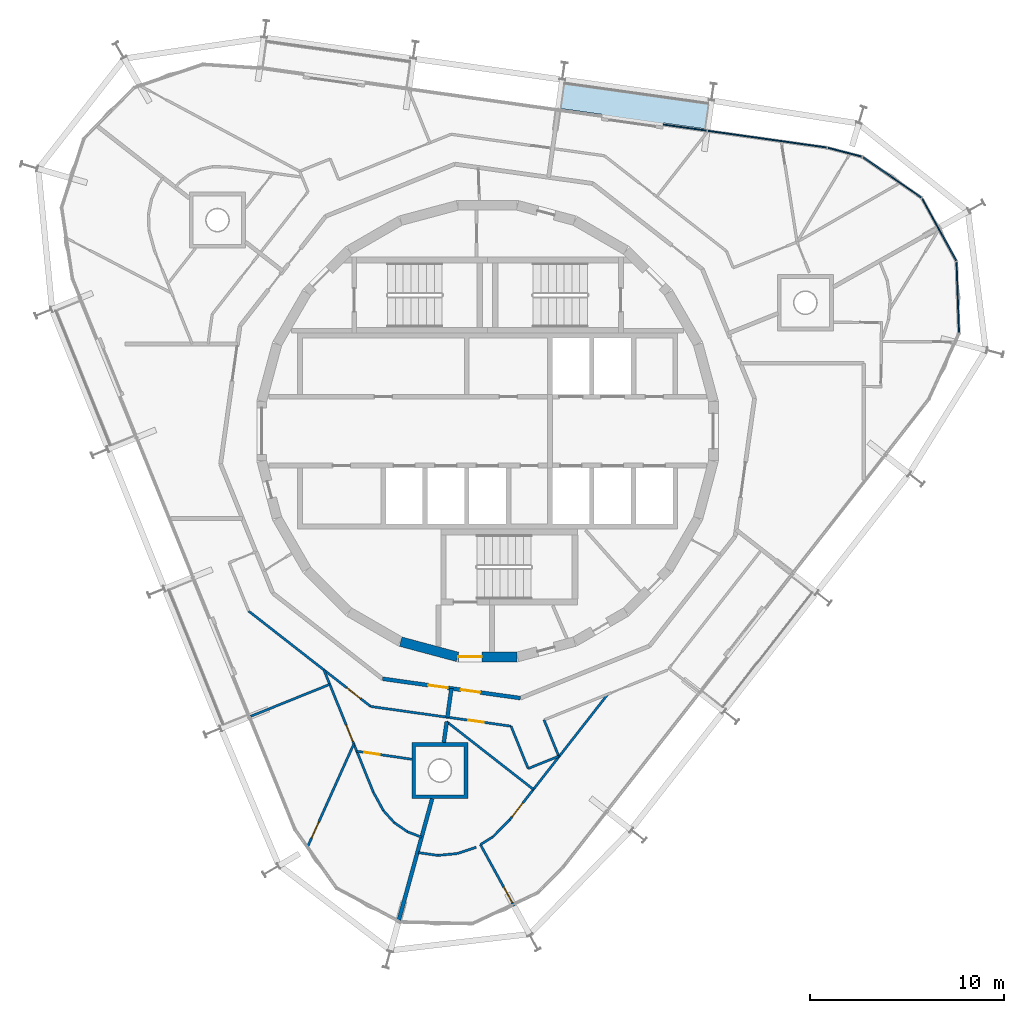
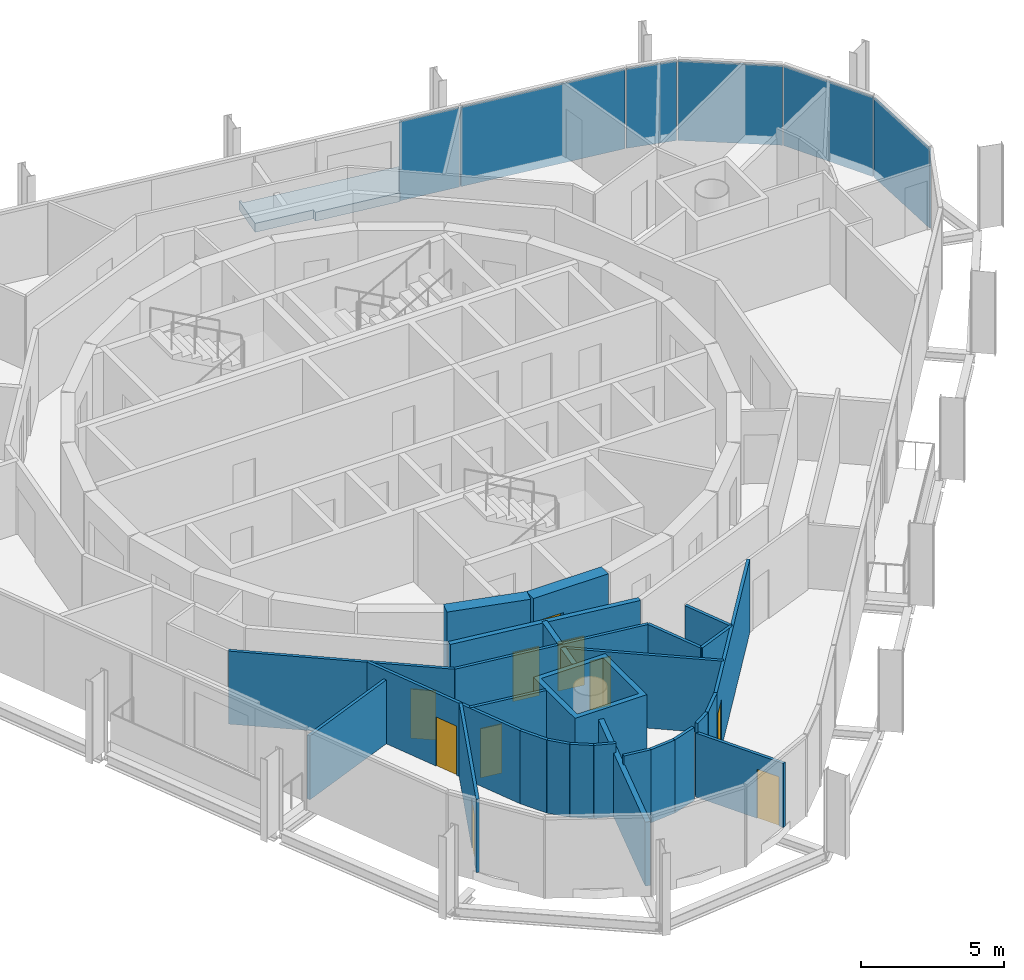
# One storey, part 9 of 15: 28 walls, 10 doors, 6 plates, 1 slab, 10 openings, 2 elements without a shape of their own.
"""IFC4 building model written with IfcOpenShell, lengths in metres."""

from ifc_helpers import new_model, si_unit, direction, frame, frame_2d, origin, origin_2d, place, context, subcontext, project, spatial, polyline, rectangle, outline, extrude, material, layer, layer_set, type_object, element, fill, aggregate, save


model = new_model("IFC4")

# Units and contexts
model_context = context("Model", 3, precision=1e-05, world=origin(), true_north=direction((0.0, 1.0)))
body_context = subcontext(model_context, "Body", "Model", "MODEL_VIEW")
ifc_project = project(units=[si_unit("LENGTHUNIT", "METRE"), si_unit("AREAUNIT", "SQUARE_METRE"), si_unit("VOLUMEUNIT", "CUBIC_METRE"), si_unit("PLANEANGLEUNIT", "RADIAN"), si_unit("MASSUNIT", "GRAM", prefix="KILO")], contexts=[model_context])

# Site, building, storey
site_placement = place(None, origin())
site = spatial("IfcSite", under=ifc_project, at=site_placement, CompositionType="ELEMENT")
building_placement = place(site_placement, origin())
building = spatial("IfcBuilding", under=site, at=building_placement, Name="Spindle Arch Residences", CompositionType="ELEMENT")
storey_placement = place(building_placement, frame((0.0, 0.0, 343.5)))
storey = spatial("IfcBuildingStorey", under=building, at=storey_placement, Name="L88", CompositionType="ELEMENT", Elevation=343.5)

# Slab
ifc_material_1 = material(Name="Concrete C40/50", Category="concrete")
ifc_layer_1 = layer(ifc_material_1, 0.3798828125)
ifc_layer_set_1 = layer_set([ifc_layer_1], Name="Balcony slab 380")
slab_type = type_object("IfcSlabType", Name="Balcony slab 380", PredefinedType="FLOOR", material=ifc_layer_set_1)
slab_placement = place(storey_placement, frame((0.0, 0.0, -0.3798828125)))
element("IfcSlab", 1, at=slab_placement, inside=storey, type_object=slab_type, Name="Balcony L88 bay 6", PredefinedType="FLOOR", context=body_context, shape_type="SweptSolid", body=[
    extrude(outline(polyline([(11.470458984375, 17.05810546875), (11.396240234375, 17.068359375), (11.375244140625, 16.919921875), (3.982421875, 17.958984375), (4.00341796875, 18.107421875), (3.928955078125, 18.117919921875), (3.7216796875, 16.642333984375), (5.907958984375, 16.335205078125), (5.8857421875, 16.1767578125), (9.054443359375, 15.7314453125), (9.076904296875, 15.889892578125), (11.26318359375, 15.58251953125), (11.470458984375, 17.05810546875)])), origin(), (0.0, 0.0, 1.0), 0.3798828125),
])

# Curtain wall, plates
ifc_material_2 = material(Name="Aluminium bronze unitised frame with tinted glass", Category="aluminium")
ifc_layer_2 = layer(ifc_material_2, 0.159912109375)
ifc_layer_set_2 = layer_set([ifc_layer_2], Name="CW-D corner wall on the fillet arcs")
curtain_wall_type_1 = type_object("IfcCurtainWallType", Name="CW-D corner wall on the fillet arcs", PredefinedType="NOTDEFINED", material=ifc_layer_set_2)
curtain_wall_1_placement = place(storey_placement, origin())
curtain_wall_1 = element("IfcCurtainWall", 2, at=curtain_wall_1_placement, inside=storey, type_object=curtain_wall_type_1, Name="CW-D L88 run 1", PredefinedType="NOTDEFINED")
ifc_material_3 = material(Name="Tinted double glazing over non-combustible spandrel zone with 0.55 mm stainless steel cavity fire stop (K0)", Category="steel")
ifc_layer_3 = layer(ifc_material_3, 0.070068359375)
ifc_layer_set_3 = layer_set([ifc_layer_3], Name="Unitised glass panel with spandrel zone and stainless cavity fire stop")
plate_type = type_object("IfcPlateType", Name="Unitised glass panel with spandrel zone and stainless cavity fire stop", PredefinedType="CURTAIN_PANEL", material=ifc_layer_set_3)
plate_1_placement = place(storey_placement, frame((24.2470703125, 6.896240234375, -0.3798828125), z_axis=(0.0, 0.0, 1.0), x_axis=(-0.034899497139, 0.999390827004, 0.0)))
plate_1 = element("IfcPlate", 3, at=plate_1_placement, type_object=plate_type, Name="CW-D unit 02", PredefinedType="CURTAIN_PANEL", context=body_context, shape_type="SweptSolid", body=[
    extrude(rectangle(XDim=3.666748046875, YDim=0.070068359375, at=origin_2d()), origin(), (0.0, 0.0, 1.0), 3.3798828125),
])
plate_2_placement = place(storey_placement, frame((23.2880859375, 10.3935546875, -0.3798828125), z_axis=(0.0, 0.0, 1.0), x_axis=(-0.479713114021, 0.877425397533, 0.0)))
plate_2 = element("IfcPlate", 4, at=plate_2_placement, type_object=plate_type, Name="CW-D unit 03", PredefinedType="CURTAIN_PANEL", context=body_context, shape_type="SweptSolid", body=[
    extrude(rectangle(XDim=3.666748046875, YDim=0.070068359375, at=origin_2d()), origin(), (0.0, 0.0, 1.0), 3.3798828125),
])
plate_3_placement = place(storey_placement, frame((20.86181640625, 13.08837890625, -0.3798828125), z_axis=(0.0, 0.0, 1.0), x_axis=(-0.822475094841, 0.568801123739, 0.0)))
plate_3 = element("IfcPlate", 5, at=plate_3_placement, type_object=plate_type, Name="CW-D unit 04", PredefinedType="CURTAIN_PANEL", context=body_context, shape_type="SweptSolid", body=[
    extrude(rectangle(XDim=3.666748046875, YDim=0.070068359375, at=origin_2d()), origin(), (0.0, 0.0, 1.0), 3.3798828125),
])
plate_4_placement = place(storey_placement, frame((18.421630859375, 14.3857421875, -0.3798828125), z_axis=(0.0, 0.0, 1.0), x_axis=(-0.967415218326, 0.25319517245, 0.0)))
plate_4 = element("IfcPlate", 6, at=plate_4_placement, type_object=plate_type, Name="CW-D unit 05", PredefinedType="CURTAIN_PANEL", context=body_context, shape_type="SweptSolid", body=[
    extrude(rectangle(XDim=1.816162109375, YDim=0.070068359375, at=origin_2d()), origin(), (0.0, 0.0, 1.0), 3.3798828125),
])
plate_5_placement = place(storey_placement, frame((14.420166015625, 15.05810546875, -0.3798828125), z_axis=(0.0, 0.0, 1.0), x_axis=(-0.990268068742, 0.13917310096, 0.0)))
plate_5 = element("IfcPlate", 7, at=plate_5_placement, type_object=plate_type, Name="CW-D unit 06", PredefinedType="CURTAIN_PANEL", context=body_context, shape_type="SweptSolid", body=[
    extrude(rectangle(XDim=6.188720703125, YDim=0.070068359375, at=origin_2d()), origin(), (0.0, 0.0, 1.0), 3.3798828125),
])
aggregate(curtain_wall_1, [plate_1, plate_2, plate_3, plate_4, plate_5])

# Curtain wall, plate
ifc_material_4 = material(Name="Aluminium bronze unitised frame with tinted glass", Category="aluminium")
ifc_layer_4 = layer(ifc_material_4, 0.159912109375)
ifc_layer_set_4 = layer_set([ifc_layer_4], Name="CW-C typical residential unitised wall")
curtain_wall_type_2 = type_object("IfcCurtainWallType", Name="CW-C typical residential unitised wall", PredefinedType="NOTDEFINED", material=ifc_layer_set_4)
curtain_wall_2_placement = place(storey_placement, origin())
curtain_wall_2 = element("IfcCurtainWall", 8, at=curtain_wall_2_placement, inside=storey, type_object=curtain_wall_type_2, Name="CW-C L88 run 2", PredefinedType="NOTDEFINED")
plate_6_placement = place(storey_placement, frame((10.18115234375, 15.65380859375, -0.3798828125), z_axis=(0.0, 0.0, 1.0), x_axis=(-0.990268068742, 0.13917310096, 0.0)))
plate_6 = element("IfcPlate", 9, at=plate_6_placement, type_object=plate_type, Name="CW-C unit 05L", PredefinedType="CURTAIN_PANEL", context=body_context, shape_type="SweptSolid", body=[
    extrude(rectangle(XDim=2.252685546875, YDim=0.070068359375, at=origin_2d()), origin(), (0.0, 0.0, 1.0), 3.3798828125),
])
aggregate(curtain_wall_2, [plate_6])

# Wall
ifc_material_5 = material(Name="Concrete C50/60", Category="concrete")
ifc_layer_5 = layer(ifc_material_5, 0.5)
ifc_layer_set_5 = layer_set([ifc_layer_5], Name="Core outline wall 500")
wall_type_1 = type_object("IfcWallType", Name="Core outline wall 500", PredefinedType="SHEAR", material=ifc_layer_set_5)
wall_1_placement = place(storey_placement, frame((-4.479248046875, -10.858154296875, 0.0), z_axis=(0.0, 0.0, 1.0), x_axis=(0.965948410781, -0.258734743916, 0.0)))
element("IfcWall", 10, at=wall_1_placement, inside=storey, type_object=wall_type_1, Name="Core outline wall 23", PredefinedType="SHEAR", context=body_context, shape_type="SweptSolid", body=[
    extrude(rectangle(XDim=3.03271484375, YDim=0.5, at=frame_2d((1.516357421875, 0.0))), origin(), (0.0, 0.0, 1.0), 3.1201171875),
])

# Wall, opening, door
wall_2_placement = place(storey_placement, frame((-1.516357421875, -11.647216796875, 0.0), z_axis=(0.0, 0.0, 1.0), x_axis=(1.0, 0.0, 0.0)))
wall_2 = element("IfcWall", 11, at=wall_2_placement, inside=storey, type_object=wall_type_1, Name="Core outline wall 24", PredefinedType="SHEAR", context=body_context, shape_type="SweptSolid", body=[
    extrude(rectangle(XDim=3.03271484375, YDim=0.5, at=frame_2d((1.516357421875, 0.0))), origin(), (0.0, 0.0, 1.0), 3.1201171875),
])
opening_1_placement = place(wall_2_placement, frame((0.016357421875, 0.0, 0.0)))
opening_1 = element("IfcOpeningElement", 12, at=opening_1_placement, cuts=wall_2, Name="Opening R9B1-AD03", PredefinedType="OPENING", context=body_context, shape_type="SweptSolid", body=[
    extrude(rectangle(XDim=1.199951171875, YDim=2.10009765625, at=frame_2d((0.60009765625, 1.050048828125))), frame((0.0, 0.260009765625, 0.0), z_axis=(0.0, -1.0, 0.0), x_axis=(1.0, 0.0, 0.0)), (0.0, 0.0, 1.0), 0.52001953125),
])
ifc_material_6 = material(Name="Steel, fire-resisting door", Category="steel")
door_type_1 = type_object("IfcDoorType", Name="Stair airlock door 1200x2100", OperationType="SINGLE_SWING_LEFT", PredefinedType="DOOR", material=ifc_material_6)
door_1_placement = place(opening_1_placement, origin())
door_1 = element("IfcDoor", 13, at=door_1_placement, inside=storey, type_object=door_type_1, Name="Stair airlock door R9B1-AD03", OperationType="SINGLE_SWING_RIGHT", OverallHeight=2.10009765625, OverallWidth=1.199951171875, PredefinedType="DOOR", context=body_context, shape_type="SweptSolid", body=[
    extrude(rectangle(XDim=1.199951171875, YDim=2.10009765625, at=frame_2d((0.60009765625, 1.050048828125))), frame((0.0, 0.02490234375, 0.0), z_axis=(0.0, -1.0, 0.0), x_axis=(1.0, 0.0, 0.0)), (0.0, 0.0, 1.0), 0.050048828125),
])
fill(opening_1, door_1)

# Wall, openings, doors
ifc_material_7 = material(Name="Calcium silicate block, plastered")
ifc_layer_6 = layer(ifc_material_7, 0.199951171875)
ifc_layer_set_6 = layer_set([ifc_layer_6], Name="Corridor wall 200")
wall_type_2 = type_object("IfcWallType", Name="Corridor wall 200", PredefinedType="STANDARD", material=ifc_layer_set_6)
wall_3_placement = place(storey_placement, frame((-5.42041015625, -12.77001953125, 0.0), z_axis=(0.0, 0.0, 1.0), x_axis=(0.990270565508, -0.139155334385, 0.0)))
wall_3 = element("IfcWall", 14, at=wall_3_placement, inside=storey, type_object=wall_type_2, Name="Corridor wall R9B1-W015", PredefinedType="STANDARD", context=body_context, shape_type="SweptSolid", body=[
    extrude(rectangle(XDim=7.180908203125, YDim=0.199951171875, at=frame_2d((3.59033203125, 0.0))), origin(), (0.0, 0.0, 1.0), 3.1201171875),
])
opening_2_placement = place(wall_3_placement, frame((2.390380859375, 0.0, 0.0)))
opening_2 = element("IfcOpeningElement", 15, at=opening_2_placement, cuts=wall_3, Name="Opening R9B1-FD05", PredefinedType="OPENING", context=body_context, shape_type="SweptSolid", body=[
    extrude(rectangle(XDim=1.0, YDim=2.10009765625, at=frame_2d((0.5, 1.050048828125))), frame((0.0, 0.10986328125, 0.0), z_axis=(0.0, -1.0, 0.0), x_axis=(1.0, 0.0, 0.0)), (0.0, 0.0, 1.0), 0.219970703125),
])
opening_3_placement = place(wall_3_placement, frame((4.090576171875, 0.0, 0.0)))
opening_3 = element("IfcOpeningElement", 16, at=opening_3_placement, cuts=wall_3, Name="Opening R9B1-FD06", PredefinedType="OPENING", context=body_context, shape_type="SweptSolid", body=[
    extrude(rectangle(XDim=1.0, YDim=2.10009765625, at=frame_2d((0.5, 1.050048828125))), frame((0.0, 0.10986328125, 0.0), z_axis=(0.0, -1.0, 0.0), x_axis=(1.0, 0.0, 0.0)), (0.0, 0.0, 1.0), 0.219970703125),
])
ifc_material_8 = material(Name="Timber, fire-resisting door set", Category="wood")
door_type_2 = type_object("IfcDoorType", Name="Flat entrance door 1000x2100", OperationType="NOTDEFINED", PredefinedType="DOOR", material=ifc_material_8)
door_2_placement = place(opening_2_placement, origin())
door_2 = element("IfcDoor", 17, at=door_2_placement, inside=storey, type_object=door_type_2, Name="Flat entrance door R9B1-FD05", OperationType="SINGLE_SWING_RIGHT", OverallHeight=2.10009765625, OverallWidth=1.0, PredefinedType="DOOR", context=body_context, shape_type="SweptSolid", body=[
    extrude(rectangle(XDim=1.0, YDim=2.10009765625, at=frame_2d((0.5, 1.050048828125))), frame((0.0, 0.02490234375, 0.0), z_axis=(0.0, -1.0, 0.0), x_axis=(1.0, 0.0, 0.0)), (0.0, 0.0, 1.0), 0.050048828125),
])
fill(opening_2, door_2)
door_3_placement = place(opening_3_placement, origin())
door_3 = element("IfcDoor", 18, at=door_3_placement, inside=storey, type_object=door_type_2, Name="Flat entrance door R9B1-FD06", OperationType="SINGLE_SWING_RIGHT", OverallHeight=2.10009765625, OverallWidth=1.0, PredefinedType="DOOR", context=body_context, shape_type="SweptSolid", body=[
    extrude(rectangle(XDim=1.0, YDim=2.10009765625, at=frame_2d((0.5, 1.050048828125))), frame((0.0, 0.02490234375, 0.0), z_axis=(0.0, -1.0, 0.0), x_axis=(1.0, 0.0, 0.0)), (0.0, 0.0, 1.0), 0.050048828125),
])
fill(opening_3, door_3)

# Wall, opening, door
ifc_material_9 = material(Name="Plasterboard on steel studs", Category="steel")
ifc_layer_7 = layer(ifc_material_9, 0.1201171875)
ifc_layer_set_7 = layer_set([ifc_layer_7], Name="Flat partition 120")
wall_type_3 = type_object("IfcWallType", Name="Flat partition 120", PredefinedType="PARTITIONING", material=ifc_layer_set_7)
wall_4_placement = place(storey_placement, frame((-12.3193359375, -9.283447265625, 0.0), z_axis=(0.0, 0.0, 1.0), x_axis=(0.788000268464, -0.61567489546, 0.0)))
wall_4 = element("IfcWall", 19, at=wall_4_placement, inside=storey, type_object=wall_type_3, Name="Flat partition R9B1-W074", PredefinedType="PARTITIONING", context=body_context, shape_type="SweptSolid", body=[
    extrude(rectangle(XDim=7.98486328125, YDim=0.1201171875, at=frame_2d((3.992431640625, 0.0))), origin(), (0.0, 0.0, 1.0), 3.1201171875),
])
opening_4_placement = place(wall_4_placement, frame((6.423095703125, 0.0, 0.0)))
opening_4 = element("IfcOpeningElement", 20, at=opening_4_placement, cuts=wall_4, Name="Opening R9B1-ID16", PredefinedType="OPENING", context=body_context, shape_type="SweptSolid", body=[
    extrude(rectangle(XDim=0.89990234375, YDim=2.10009765625, at=frame_2d((0.449951171875, 1.050048828125))), frame((0.0, 0.070068359375, 0.0), z_axis=(0.0, -1.0, 0.0), x_axis=(1.0, 0.0, 0.0)), (0.0, 0.0, 1.0), 0.14013671875),
])
ifc_material_10 = material(Name="Timber door set", Category="wood")
door_type_3 = type_object("IfcDoorType", Name="Room door 900x2100", OperationType="NOTDEFINED", PredefinedType="DOOR", material=ifc_material_10)
door_4_placement = place(opening_4_placement, origin())
door_4 = element("IfcDoor", 21, at=door_4_placement, inside=storey, type_object=door_type_3, Name="Room door R9B1-ID16", OperationType="SINGLE_SWING_RIGHT", OverallHeight=2.10009765625, OverallWidth=0.89990234375, PredefinedType="DOOR", context=body_context, shape_type="SweptSolid", body=[
    extrude(rectangle(XDim=0.89990234375, YDim=2.10009765625, at=frame_2d((0.449951171875, 1.050048828125))), frame((0.0, 0.02490234375, 0.0), z_axis=(0.0, -1.0, 0.0), x_axis=(1.0, 0.0, 0.0)), (0.0, 0.0, 1.0), 0.050048828125),
])
fill(opening_4, door_4)

wall_5_placement = place(storey_placement, frame((-6.02734375, -14.199462890625, 0.0), z_axis=(0.0, 0.0, 1.0), x_axis=(0.990271617837, -0.139147845494, 0.0)))
wall_5 = element("IfcWall", 22, at=wall_5_placement, inside=storey, type_object=wall_type_3, Name="Flat partition R9B1-W075", PredefinedType="PARTITIONING", context=body_context, shape_type="SweptSolid", body=[
    extrude(rectangle(XDim=7.3076171875, YDim=0.1201171875, at=frame_2d((3.65380859375, 0.0))), origin(), (0.0, 0.0, 1.0), 3.1201171875),
])
opening_5_placement = place(wall_5_placement, frame((5.092529296875, 0.0, 0.0)))
opening_5 = element("IfcOpeningElement", 23, at=opening_5_placement, cuts=wall_5, Name="Opening R9B1-BD06", PredefinedType="OPENING", context=body_context, shape_type="SweptSolid", body=[
    extrude(rectangle(XDim=0.800048828125, YDim=2.10009765625, at=frame_2d((0.39990234375, 1.050048828125))), frame((0.0, 0.070068359375, 0.0), z_axis=(0.0, -1.0, 0.0), x_axis=(1.0, 0.0, 0.0)), (0.0, 0.0, 1.0), 0.14013671875),
])
ifc_material_11 = material(Name="Timber door set", Category="wood")
door_type_4 = type_object("IfcDoorType", Name="Bathroom door 800x2100", OperationType="NOTDEFINED", PredefinedType="DOOR", material=ifc_material_11)
door_5_placement = place(opening_5_placement, origin())
door_5 = element("IfcDoor", 24, at=door_5_placement, inside=storey, type_object=door_type_4, Name="Bathroom door R9B1-BD06", OperationType="SINGLE_SWING_LEFT", OverallHeight=2.10009765625, OverallWidth=0.800048828125, PredefinedType="DOOR", context=body_context, shape_type="SweptSolid", body=[
    extrude(rectangle(XDim=0.800048828125, YDim=2.10009765625, at=frame_2d((0.39990234375, 1.050048828125))), frame((0.0, 0.02490234375, 0.0), z_axis=(0.0, -1.0, 0.0), x_axis=(1.0, 0.0, 0.0)), (0.0, 0.0, 1.0), 0.050048828125),
])
fill(opening_5, door_5)

wall_6_placement = place(storey_placement, frame((-5.89404296875, -18.615966796875, 0.0), z_axis=(0.0, 0.0, 1.0), x_axis=(-0.374596683143, 0.927187858515, 0.0)))
wall_6 = element("IfcWall", 25, at=wall_6_placement, inside=storey, type_object=wall_type_3, Name="Flat partition R9B1-W077", PredefinedType="PARTITIONING", context=body_context, shape_type="SweptSolid", body=[
    extrude(rectangle(XDim=6.79638671875, YDim=0.1201171875, at=frame_2d((3.398193359375, 0.0))), origin(), (0.0, 0.0, 1.0), 3.1201171875),
])
opening_6_placement = place(wall_6_placement, frame((2.822265625, 0.0, 0.0)))
opening_6 = element("IfcOpeningElement", 26, at=opening_6_placement, cuts=wall_6, Name="Opening R9B1-ID17", PredefinedType="OPENING", context=body_context, shape_type="SweptSolid", body=[
    extrude(rectangle(XDim=0.89990234375, YDim=2.10009765625, at=frame_2d((0.449951171875, 1.050048828125))), frame((0.0, 0.070068359375, 0.0), z_axis=(0.0, -1.0, 0.0), x_axis=(1.0, 0.0, 0.0)), (0.0, 0.0, 1.0), 0.14013671875),
])
door_6_placement = place(opening_6_placement, origin())
door_6 = element("IfcDoor", 27, at=door_6_placement, inside=storey, type_object=door_type_3, Name="Room door R9B1-ID17", OperationType="SINGLE_SWING_RIGHT", OverallHeight=2.10009765625, OverallWidth=0.89990234375, PredefinedType="DOOR", context=body_context, shape_type="SweptSolid", body=[
    extrude(rectangle(XDim=0.89990234375, YDim=2.10009765625, at=frame_2d((0.449951171875, 1.050048828125))), frame((0.0, 0.02490234375, 0.0), z_axis=(0.0, -1.0, 0.0), x_axis=(1.0, 0.0, 0.0)), (0.0, 0.0, 1.0), 0.050048828125),
])
fill(opening_6, door_6)

wall_7_placement = place(storey_placement, frame((-9.3203125, -21.52099609375, 0.0), z_axis=(0.0, 0.0, 1.0), x_axis=(0.410206582363, 0.911992631432, 0.0)))
wall_7 = element("IfcWall", 28, at=wall_7_placement, inside=storey, type_object=wall_type_3, Name="Flat partition R9B1-W078", PredefinedType="PARTITIONING", context=body_context, shape_type="SweptSolid", body=[
    extrude(rectangle(XDim=5.90771484375, YDim=0.1201171875, at=frame_2d((2.953857421875, 0.0))), origin(), (0.0, 0.0, 1.0), 3.1201171875),
])
opening_7_placement = place(wall_7_placement, frame((0.60009765625, 0.0, 0.0)))
opening_7 = element("IfcOpeningElement", 29, at=opening_7_placement, cuts=wall_7, Name="Opening R9B1-ID18", PredefinedType="OPENING", context=body_context, shape_type="SweptSolid", body=[
    extrude(rectangle(XDim=0.89990234375, YDim=2.10009765625, at=frame_2d((0.449951171875, 1.050048828125))), frame((0.0, 0.070068359375, 0.0), z_axis=(0.0, -1.0, 0.0), x_axis=(1.0, 0.0, 0.0)), (0.0, 0.0, 1.0), 0.14013671875),
])
door_7_placement = place(opening_7_placement, origin())
door_7 = element("IfcDoor", 30, at=door_7_placement, inside=storey, type_object=door_type_3, Name="Room door R9B1-ID18", OperationType="SINGLE_SWING_RIGHT", OverallHeight=2.10009765625, OverallWidth=0.89990234375, PredefinedType="DOOR", context=body_context, shape_type="SweptSolid", body=[
    extrude(rectangle(XDim=0.89990234375, YDim=2.10009765625, at=frame_2d((0.449951171875, 1.050048828125))), frame((0.0, 0.02490234375, 0.0), z_axis=(0.0, -1.0, 0.0), x_axis=(1.0, 0.0, 0.0)), (0.0, 0.0, 1.0), 0.050048828125),
])
fill(opening_7, door_7)

wall_8_placement = place(storey_placement, frame((-6.7451171875, -16.509033203125, 0.0), z_axis=(0.0, 0.0, 1.0), x_axis=(0.989610924185, -0.143771411393, 0.0)))
wall_8 = element("IfcWall", 31, at=wall_8_placement, inside=storey, type_object=wall_type_3, Name="Flat partition R9B1-W079", PredefinedType="PARTITIONING", context=body_context, shape_type="SweptSolid", body=[
    extrude(rectangle(XDim=2.86474609375, YDim=0.1201171875, at=frame_2d((1.432373046875, 0.0))), origin(), (0.0, 0.0, 1.0), 3.1201171875),
])
opening_8_placement = place(wall_8_placement, frame((0.39990234375, 0.0, 0.0)))
opening_8 = element("IfcOpeningElement", 32, at=opening_8_placement, cuts=wall_8, Name="Opening R9B1-BD05", PredefinedType="OPENING", context=body_context, shape_type="SweptSolid", body=[
    extrude(rectangle(XDim=0.800048828125, YDim=2.10009765625, at=frame_2d((0.39990234375, 1.050048828125))), frame((0.0, 0.070068359375, 0.0), z_axis=(0.0, -1.0, 0.0), x_axis=(1.0, 0.0, 0.0)), (0.0, 0.0, 1.0), 0.14013671875),
])
door_8_placement = place(opening_8_placement, origin())
door_8 = element("IfcDoor", 33, at=door_8_placement, inside=storey, type_object=door_type_4, Name="Bathroom door R9B1-BD05", OperationType="SINGLE_SWING_RIGHT", OverallHeight=2.10009765625, OverallWidth=0.800048828125, PredefinedType="DOOR", context=body_context, shape_type="SweptSolid", body=[
    extrude(rectangle(XDim=0.800048828125, YDim=2.10009765625, at=frame_2d((0.39990234375, 1.050048828125))), frame((0.0, 0.02490234375, 0.0), z_axis=(0.0, -1.0, 0.0), x_axis=(1.0, 0.0, 0.0)), (0.0, 0.0, 1.0), 0.050048828125),
])
fill(opening_8, door_8)

# Walls
wall_9_placement = place(storey_placement, frame((-3.403564453125, -20.943115234375, 0.0), z_axis=(0.0, 0.0, 1.0), x_axis=(-0.931485289212, 0.363778993321, 0.0)))
element("IfcWall", 34, at=wall_9_placement, inside=storey, type_object=wall_type_3, Name="Flat partition R9B1-W080", PredefinedType="PARTITIONING", context=body_context, shape_type="SweptSolid", body=[
    extrude(rectangle(XDim=0.78662109375, YDim=0.1201171875, at=frame_2d((0.393310546875, 0.0))), origin(), (0.0, 0.0, 1.0), 3.1201171875),
])
wall_10_placement = place(storey_placement, frame((-4.13623046875, -20.656982421875, 0.0), z_axis=(0.0, 0.0, 1.0), x_axis=(-0.822552500908, 0.568689179826, 0.0)))
element("IfcWall", 35, at=wall_10_placement, inside=storey, type_object=wall_type_3, Name="Flat partition R9B1-W081", PredefinedType="PARTITIONING", context=body_context, shape_type="SweptSolid", body=[
    extrude(rectangle(XDim=0.8291015625, YDim=0.1201171875, at=frame_2d((0.41455078125, 0.0))), origin(), (0.0, 0.0, 1.0), 3.1201171875),
])
wall_11_placement = place(storey_placement, frame((-4.818115234375, -20.185546875, 0.0), z_axis=(0.0, 0.0, 1.0), x_axis=(-0.669013557227, 0.743250200301, 0.0)))
element("IfcWall", 36, at=wall_11_placement, inside=storey, type_object=wall_type_3, Name="Flat partition R9B1-W082", PredefinedType="PARTITIONING", context=body_context, shape_type="SweptSolid", body=[
    extrude(rectangle(XDim=0.828857421875, YDim=0.1201171875, at=frame_2d((0.41455078125, 0.0))), origin(), (0.0, 0.0, 1.0), 3.1201171875),
])
wall_12_placement = place(storey_placement, frame((-5.37255859375, -19.569580078125, 0.0), z_axis=(0.0, 0.0, 1.0), x_axis=(-0.479796131471, 0.87738000446, 0.0)))
element("IfcWall", 37, at=wall_12_placement, inside=storey, type_object=wall_type_3, Name="Flat partition R9B1-W083", PredefinedType="PARTITIONING", context=body_context, shape_type="SweptSolid", body=[
    extrude(rectangle(XDim=1.0869140625, YDim=0.1201171875, at=frame_2d((0.54345703125, 0.0))), origin(), (0.0, 0.0, 1.0), 3.1201171875),
])
wall_13_placement = place(storey_placement, frame((1.209228515625, -15.21630859375, 0.0), z_axis=(0.0, 0.0, 1.0), x_axis=(0.374531550488, -0.927214170345, 0.0)))
element("IfcWall", 38, at=wall_13_placement, inside=storey, type_object=wall_type_3, Name="Flat partition R9B1-W084", PredefinedType="PARTITIONING", context=body_context, shape_type="SweptSolid", body=[
    extrude(rectangle(XDim=2.357177734375, YDim=0.1201171875, at=frame_2d((1.1787109375, 0.0))), origin(), (0.0, 0.0, 1.0), 3.1201171875),
])
wall_14_placement = place(storey_placement, frame((2.092041015625, -17.40185546875, 0.0), z_axis=(0.0, 0.0, 1.0), x_axis=(0.927153589835, 0.374681492546, 0.0)))
element("IfcWall", 39, at=wall_14_placement, inside=storey, type_object=wall_type_3, Name="Flat partition R9B1-W085", PredefinedType="PARTITIONING", context=body_context, shape_type="SweptSolid", body=[
    extrude(rectangle(XDim=1.699951171875, YDim=0.1201171875, at=frame_2d((0.85009765625, 0.0))), origin(), (0.0, 0.0, 1.0), 3.1201171875),
])
wall_15_placement = place(storey_placement, frame((3.668212890625, -16.764892578125, 0.0), z_axis=(0.0, 0.0, 1.0), x_axis=(-0.374621045498, 0.927178015416, 0.0)))
element("IfcWall", 40, at=wall_15_placement, inside=storey, type_object=wall_type_3, Name="Flat partition R9B1-W086", PredefinedType="PARTITIONING", context=body_context, shape_type="SweptSolid", body=[
    extrude(rectangle(XDim=2.018310546875, YDim=0.1201171875, at=frame_2d((1.00927734375, 0.0))), origin(), (0.0, 0.0, 1.0), 3.1201171875),
])
wall_16_placement = place(storey_placement, frame((-0.587890625, -21.45947265625, 0.0), z_axis=(0.0, 0.0, 1.0), x_axis=(-0.94737753159, -0.320118435332, 0.0)))
element("IfcWall", 41, at=wall_16_placement, inside=storey, type_object=wall_type_3, Name="Flat partition R9B1-W089", PredefinedType="PARTITIONING", context=body_context, shape_type="SweptSolid", body=[
    extrude(rectangle(XDim=1.015869140625, YDim=0.1201171875, at=frame_2d((0.5078125, 0.0))), origin(), (0.0, 0.0, 1.0), 3.1201171875),
])
wall_17_placement = place(storey_placement, frame((-1.55029296875, -21.78466796875, 0.0), z_axis=(0.0, 0.0, 1.0), x_axis=(-0.995667655176, -0.092983441736, 0.0)))
element("IfcWall", 42, at=wall_17_placement, inside=storey, type_object=wall_type_3, Name="Flat partition R9B1-W090", PredefinedType="PARTITIONING", context=body_context, shape_type="SweptSolid", body=[
    extrude(rectangle(XDim=1.01611328125, YDim=0.1201171875, at=frame_2d((0.508056640625, 0.0))), origin(), (0.0, 0.0, 1.0), 3.1201171875),
])
wall_18_placement = place(storey_placement, frame((-2.56201171875, -21.879150390625, 0.0), z_axis=(0.0, 0.0, 1.0), x_axis=(-0.990273657549, 0.139133328736, 0.0)))
element("IfcWall", 43, at=wall_18_placement, inside=storey, type_object=wall_type_3, Name="Flat partition R9B1-W091", PredefinedType="PARTITIONING", context=body_context, shape_type="SweptSolid", body=[
    extrude(rectangle(XDim=1.015869140625, YDim=0.1201171875, at=frame_2d((0.5078125, 0.0))), origin(), (0.0, 0.0, 1.0), 3.1201171875),
])
wall_19_placement = place(storey_placement, frame((2.36328125, -18.477783203125, 0.0), z_axis=(0.0, 0.0, 1.0), x_axis=(-0.788010669333, 0.615661583191, 0.0)))
element("IfcWall", 44, at=wall_19_placement, inside=storey, type_object=wall_type_3, Name="Flat partition R9B1-W093", PredefinedType="PARTITIONING", context=body_context, shape_type="SweptSolid", body=[
    extrude(rectangle(XDim=5.671875, YDim=0.1201171875, at=frame_2d((2.8359375, 0.0))), origin(), (0.0, 0.0, 1.0), 3.1201171875),
])
wall_20_placement = place(storey_placement, frame((-0.368896484375, -21.32275390625, 0.0), z_axis=(0.0, 0.0, 1.0), x_axis=(0.847998304005, 0.529998940003, 0.0)))
element("IfcWall", 45, at=wall_20_placement, inside=storey, type_object=wall_type_3, Name="Flat partition R9B1-W094", PredefinedType="PARTITIONING", context=body_context, shape_type="SweptSolid", body=[
    extrude(rectangle(XDim=0.7578125, YDim=0.1201171875, at=frame_2d((0.37890625, 0.0))), origin(), (0.0, 0.0, 1.0), 3.1201171875),
])
wall_21_placement = place(storey_placement, frame((0.273681640625, -20.921142578125, 0.0), z_axis=(0.0, 0.0, 1.0), x_axis=(0.702915150142, 0.711273710818, 0.0)))
element("IfcWall", 46, at=wall_21_placement, inside=storey, type_object=wall_type_3, Name="Flat partition R9B1-W095", PredefinedType="PARTITIONING", context=body_context, shape_type="SweptSolid", body=[
    extrude(rectangle(XDim=1.226806640625, YDim=0.1201171875, at=frame_2d((0.61328125, 0.0))), origin(), (0.0, 0.0, 1.0), 3.1201171875),
])

# Wall, opening, door
wall_22_placement = place(storey_placement, frame((1.135986328125, -20.048583984375, 0.0), z_axis=(0.0, 0.0, 1.0), x_axis=(0.615662465763, 0.788009979792, 0.0)))
wall_22 = element("IfcWall", 47, at=wall_22_placement, inside=storey, type_object=wall_type_3, Name="Flat partition R9B1-W096", PredefinedType="PARTITIONING", context=body_context, shape_type="SweptSolid", body=[
    extrude(rectangle(XDim=8.228759765625, YDim=0.1201171875, at=frame_2d((4.1142578125, 0.0))), origin(), (0.0, 0.0, 1.0), 3.1201171875),
])
opening_9_placement = place(wall_22_placement, frame((0.199951171875, 0.0, 0.0)))
opening_9 = element("IfcOpeningElement", 48, at=opening_9_placement, cuts=wall_22, Name="Opening R9B1-ID22", PredefinedType="OPENING", context=body_context, shape_type="SweptSolid", body=[
    extrude(rectangle(XDim=0.89990234375, YDim=2.10009765625, at=frame_2d((0.449951171875, 1.050048828125))), frame((0.0, 0.070068359375, 0.0), z_axis=(0.0, -1.0, 0.0), x_axis=(1.0, 0.0, 0.0)), (0.0, 0.0, 1.0), 0.14013671875),
])
door_9_placement = place(opening_9_placement, origin())
door_9 = element("IfcDoor", 49, at=door_9_placement, inside=storey, type_object=door_type_3, Name="Room door R9B1-ID22", OperationType="SINGLE_SWING_RIGHT", OverallHeight=2.10009765625, OverallWidth=0.89990234375, PredefinedType="DOOR", context=body_context, shape_type="SweptSolid", body=[
    extrude(rectangle(XDim=0.89990234375, YDim=2.10009765625, at=frame_2d((0.449951171875, 1.050048828125))), frame((0.0, 0.02490234375, 0.0), z_axis=(0.0, -1.0, 0.0), x_axis=(1.0, 0.0, 0.0)), (0.0, 0.0, 1.0), 0.050048828125),
])
fill(opening_9, door_9)

# Wall
ifc_material_12 = material(Name="Plasterboard on steel studs", Category="steel")
ifc_layer_8 = layer(ifc_material_12, 0.1201171875)
ifc_layer_set_8 = layer_set([ifc_layer_8], Name="Flat partition 120 under beam 2730")
wall_type_4 = type_object("IfcWallType", Name="Flat partition 120 under beam 2730", PredefinedType="PARTITIONING", material=ifc_layer_set_8)
wall_23_placement = place(storey_placement, frame((-12.218505859375, -14.7080078125, 0.0), z_axis=(0.0, 0.0, 1.0), x_axis=(0.927189216671, 0.374593321469, 0.0)))
element("IfcWall", 50, at=wall_23_placement, inside=storey, type_object=wall_type_4, Name="Flat partition R9B1-W076", PredefinedType="PARTITIONING", context=body_context, shape_type="SweptSolid", body=[
    extrude(rectangle(XDim=4.39990234375, YDim=0.1201171875, at=frame_2d((2.199951171875, 0.0))), origin(), (0.0, 0.0, 1.0), 2.72998046875),
])

# Wall, opening, door
wall_24_placement = place(storey_placement, frame((1.36328125, -24.4853515625, 0.0), z_axis=(0.0, 0.0, 1.0), x_axis=(-0.480374148719, 0.877063667725, 0.0)))
wall_24 = element("IfcWall", 51, at=wall_24_placement, inside=storey, type_object=wall_type_4, Name="Flat partition R9B1-W092", PredefinedType="PARTITIONING", context=body_context, shape_type="SweptSolid", body=[
    extrude(rectangle(XDim=3.60595703125, YDim=0.1201171875, at=frame_2d((1.802978515625, 0.0))), origin(), (0.0, 0.0, 1.0), 2.72998046875),
])
opening_10_placement = place(wall_24_placement, frame((0.199951171875, 0.0, 0.0)))
opening_10 = element("IfcOpeningElement", 52, at=opening_10_placement, cuts=wall_24, Name="Opening R9B1-ID21", PredefinedType="OPENING", context=body_context, shape_type="SweptSolid", body=[
    extrude(rectangle(XDim=0.89990234375, YDim=2.10009765625, at=frame_2d((0.449951171875, 1.050048828125))), frame((0.0, 0.070068359375, 0.0), z_axis=(0.0, -1.0, 0.0), x_axis=(1.0, 0.0, 0.0)), (0.0, 0.0, 1.0), 0.14013671875),
])
door_10_placement = place(opening_10_placement, origin())
door_10 = element("IfcDoor", 53, at=door_10_placement, inside=storey, type_object=door_type_3, Name="Room door R9B1-ID21", OperationType="SINGLE_SWING_LEFT", OverallHeight=2.10009765625, OverallWidth=0.89990234375, PredefinedType="DOOR", context=body_context, shape_type="SweptSolid", body=[
    extrude(rectangle(XDim=0.89990234375, YDim=2.10009765625, at=frame_2d((0.449951171875, 1.050048828125))), frame((0.0, 0.02490234375, 0.0), z_axis=(0.0, -1.0, 0.0), x_axis=(1.0, 0.0, 0.0)), (0.0, 0.0, 1.0), 0.050048828125),
])
fill(opening_10, door_10)

# Walls
ifc_material_13 = material(Name="Calcium silicate block, plastered")
ifc_layer_9 = layer(ifc_material_13, 0.199951171875)
ifc_layer_set_9 = layer_set([ifc_layer_9], Name="Flat party wall 200")
wall_type_5 = type_object("IfcWallType", Name="Flat party wall 200", PredefinedType="STANDARD", material=ifc_layer_set_9)
wall_25_placement = place(storey_placement, frame((-2.073486328125, -14.7548828125, 0.0), z_axis=(0.0, 0.0, 1.0), x_axis=(0.139005431033, 0.990291618738, 0.0)))
element("IfcWall", 54, at=wall_25_placement, inside=storey, type_object=wall_type_5, Name="Flat party wall R9B1-W027", PredefinedType="STANDARD", context=body_context, shape_type="SweptSolid", body=[
    extrude(rectangle(XDim=1.5, YDim=0.199951171875, at=frame_2d((0.75, 0.0))), origin(), (0.0, 0.0, 1.0), 3.1201171875),
])
wall_26_placement = place(storey_placement, frame((-2.25634765625, -16.0546875, 0.0), z_axis=(0.0, 0.0, 1.0), x_axis=(0.139109268657, 0.990277037689, 0.0)))
element("IfcWall", 55, at=wall_26_placement, inside=storey, type_object=wall_type_5, Name="Flat party wall R9B1-W028", PredefinedType="STANDARD", context=body_context, shape_type="SweptSolid", body=[
    extrude(rectangle(XDim=1.079345703125, YDim=0.199951171875, at=frame_2d((0.53955078125, 0.0))), origin(), (0.0, 0.0, 1.0), 3.1201171875),
])
ifc_material_14 = material(Name="Calcium silicate block, plastered")
ifc_layer_10 = layer(ifc_material_14, 0.199951171875)
ifc_layer_set_10 = layer_set([ifc_layer_10], Name="Flat party wall 200 under beam 2730")
wall_type_6 = type_object("IfcWallType", Name="Flat party wall 200 under beam 2730", PredefinedType="STANDARD", material=ifc_layer_set_10)
wall_27_placement = place(storey_placement, frame((-4.573974609375, -25.209716796875, 0.0), z_axis=(0.0, 0.0, 1.0), x_axis=(0.264579024648, 0.964364007892, 0.0)))
element("IfcWall", 56, at=wall_27_placement, inside=storey, type_object=wall_type_6, Name="Flat party wall R9B1-W029", PredefinedType="STANDARD", context=body_context, shape_type="SweptSolid", body=[
    extrude(rectangle(XDim=6.486083984375, YDim=0.199951171875, at=frame_2d((3.2431640625, 0.0))), origin(), (0.0, 0.0, 1.0), 2.72998046875),
])
ifc_material_15 = material(Name="Calcium silicate block, plastered")
ifc_layer_11 = layer(ifc_material_15, 0.199951171875)
ifc_layer_set_11 = layer_set([ifc_layer_11], Name="Mega-column casing wall 200")
wall_type_7 = type_object("IfcWallType", Name="Mega-column casing wall 200", PredefinedType="STANDARD", material=ifc_layer_set_11)
wall_28_placement = place(storey_placement, origin())
element("IfcWall", 57, at=wall_28_placement, inside=storey, type_object=wall_type_7, Name="Mega-column casing wall R9B1-WC03", PredefinedType="STANDARD", context=body_context, shape_type="SweptSolid", body=[
    extrude(outline(polyline([(-1.010009765625, -16.0546875), (-1.010009765625, -18.954833984375), (-3.91015625, -18.954833984375), (-3.91015625, -16.0546875), (-1.010009765625, -16.0546875)]), holes=[polyline([(-3.710205078125, -18.7548828125), (-1.210205078125, -18.7548828125), (-1.210205078125, -16.2548828125), (-3.710205078125, -16.2548828125), (-3.710205078125, -18.7548828125)])]), origin(), (0.0, 0.0, 1.0), 3.1201171875),
])

save(model, "model.ifc")
